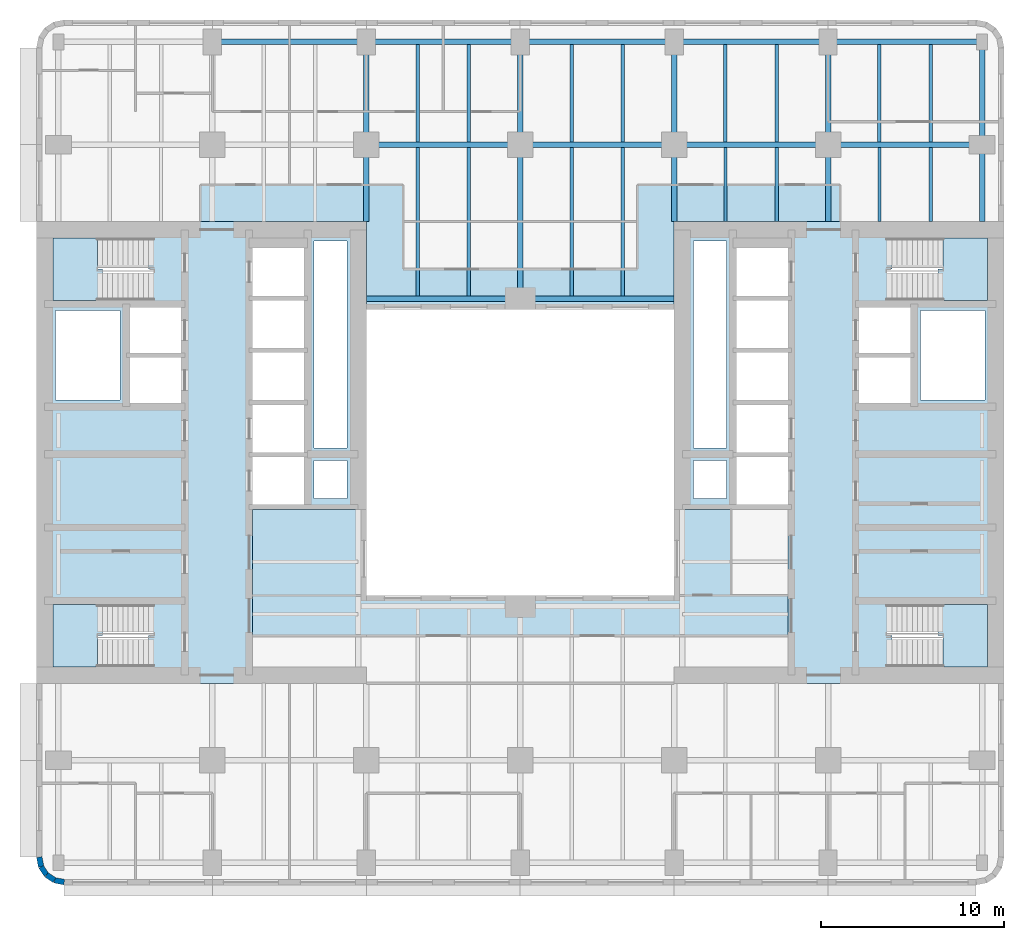
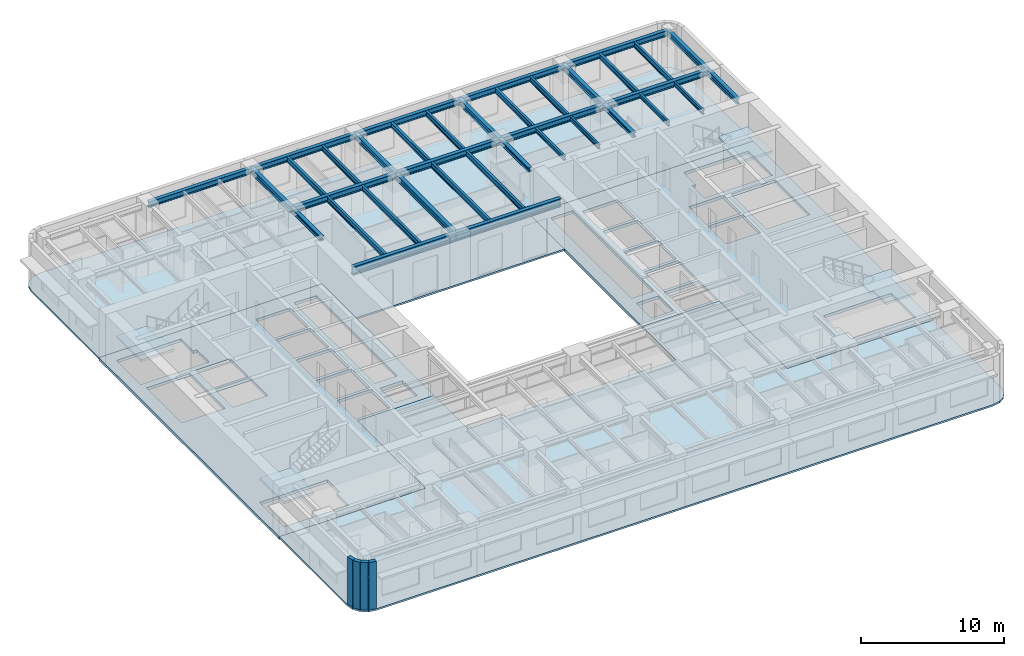
# One storey, part 2 of 11: 37 beams, 8 slabs, 4 walls, 4 elements without a shape of their own.
"""IFC4 building model written with IfcOpenShell, lengths in metres."""

from ifc_helpers import new_model, si_unit, direction, frame, frame_2d, origin, origin_2d, place, context, subcontext, project, spatial, polyline, rectangle, i_section, outline, extrude, material, layer, layer_set, material_profile, profile_set, type_object, element, aggregate, save


model = new_model("IFC4")

# Units and contexts
model_context = context("Model", 3, precision=1e-05, world=origin(), true_north=direction((0.0, 1.0)))
body_context = subcontext(model_context, "Body", "Model", "MODEL_VIEW")
ifc_project = project(units=[si_unit("LENGTHUNIT", "METRE"), si_unit("AREAUNIT", "SQUARE_METRE"), si_unit("VOLUMEUNIT", "CUBIC_METRE"), si_unit("PLANEANGLEUNIT", "RADIAN"), si_unit("MASSUNIT", "GRAM", prefix="KILO")], contexts=[model_context])

# Site, building, storey
site_placement = place(None, origin())
site = spatial("IfcSite", under=ifc_project, at=site_placement, CompositionType="ELEMENT")
building_placement = place(site_placement, origin())
building = spatial("IfcBuilding", under=site, at=building_placement, Name="Claustro Exchange Tower", CompositionType="ELEMENT")
storey_placement = place(building_placement, frame((0.0, 0.0, 126.0)))
storey = spatial("IfcBuildingStorey", under=building, at=storey_placement, Name="L28", CompositionType="ELEMENT", Elevation=126.0)

# Beams
ifc_material_1 = material(Name="Steel S355", Category="steel")
ifc_material_profile_1 = material_profile(ifc_material_1, i_section(OverallWidth=0.300048828125, OverallDepth=0.68994140625, WebThickness=0.014404296875, FlangeThickness=0.027099609375, FilletRadius=0.027099609375, at=origin_2d()), Name="HE 700 A")
ifc_profile_set_1 = profile_set([ifc_material_profile_1], Name="Steel S355")
beam_type_1 = type_object("IfcBeamType", Name="B13 HE 700 A light well edge girder", PredefinedType="BEAM", material=ifc_profile_set_1)
beam_1_placement = place(storey_placement, frame((16.800048828125, 33.60009765625, 3.705078125), z_axis=(1.0, 0.0, 0.0), x_axis=(0.0, 1.0, 0.0)))
element("IfcBeam", 1, at=beam_1_placement, inside=storey, type_object=beam_type_1, Name="Beam B13 L29", PredefinedType="BEAM", context=body_context, shape_type="SweptSolid", body=[
    extrude(i_section(OverallWidth=0.300048828125, OverallDepth=0.68994140625, WebThickness=0.014404296875, FlangeThickness=0.027099609375, FilletRadius=0.027099609375, at=origin_2d()), origin(), (0.0, 0.0, 1.0), 8.39990234375),
])
beam_2_placement = place(storey_placement, frame((25.199951171875, 33.60009765625, 3.705078125), z_axis=(1.0, 0.0, 0.0), x_axis=(0.0, 1.0, 0.0)))
element("IfcBeam", 2, at=beam_2_placement, inside=storey, type_object=beam_type_1, Name="Beam B13 L29", PredefinedType="BEAM", context=body_context, shape_type="SweptSolid", body=[
    extrude(i_section(OverallWidth=0.300048828125, OverallDepth=0.68994140625, WebThickness=0.014404296875, FlangeThickness=0.027099609375, FilletRadius=0.027099609375, at=origin_2d()), origin(), (0.0, 0.0, 1.0), 8.400146484375),
])
ifc_material_2 = material(Name="Steel S355", Category="steel")
ifc_material_profile_2 = material_profile(ifc_material_2, i_section(OverallWidth=0.169921875, OverallDepth=0.360107421875, WebThickness=0.008056640625, FlangeThickness=0.0126953125, FilletRadius=0.01806640625, at=origin_2d()), Name="IPE 360")
ifc_profile_set_2 = profile_set([ifc_material_profile_2], Name="Steel S355")
beam_type_2 = type_object("IfcBeamType", Name="B16 IPE 360 short-span beam", PredefinedType="BEAM", material=ifc_profile_set_2)
for number, where, z_axis, x_axis, name in (
    (3, (36.39990234375, 37.7900390625, 3.8701171875), (0.0, 1.0, 0.0), (-1.0, 0.0, 0.0), "Beam B16 L29"),
    (4, (39.199951171875, 37.7900390625, 3.8701171875), (0.0, 1.0, 0.0), (-1.0, 0.0, 0.0), "Beam B16 L29"),
    (5, (44.800048828125, 37.7900390625, 3.8701171875), (0.0, 1.0, 0.0), (-1.0, 0.0, 0.0), "Beam B16 L29"),
    (6, (47.60009765625, 37.7900390625, 3.8701171875), (0.0, 1.0, 0.0), (-1.0, 0.0, 0.0), "Beam B16 L29"),
):
    element("IfcBeam", number, at=place(storey_placement, frame(where, z_axis=z_axis, x_axis=x_axis)), inside=storey, type_object=beam_type_2, Name=name, PredefinedType="BEAM", context=body_context, shape_type="SweptSolid", body=[
        extrude(i_section(OverallWidth=0.169921875, OverallDepth=0.360107421875, WebThickness=0.008056640625, FlangeThickness=0.0126953125, FilletRadius=0.01806640625, at=origin_2d()), origin(), (0.0, 0.0, 1.0), 4.06005859375),
    ])
ifc_material_3 = material(Name="Steel S355", Category="steel")
ifc_material_profile_3 = material_profile(ifc_material_3, i_section(OverallWidth=0.300048828125, OverallDepth=0.360107421875, WebThickness=0.012451171875, FlangeThickness=0.0224609375, FilletRadius=0.027099609375, at=origin_2d()), Name="HE 360 B")
ifc_profile_set_3 = profile_set([ifc_material_profile_3], Name="Steel S355")
beam_type_3 = type_object("IfcBeamType", Name="B29 HE 360 B column to core link beam", PredefinedType="BEAM", material=ifc_profile_set_3)
for number, where, z_axis, x_axis, name in (
    (7, (16.800048828125, 37.800048828125, 3.8701171875), (0.0, 1.0, 0.0), (-1.0, 0.0, 0.0), "Beam B29 L29"),
    (8, (33.60009765625, 37.800048828125, 3.8701171875), (0.0, 1.0, 0.0), (-1.0, 0.0, 0.0), "Beam B29 L29"),
    (9, (42.0, 37.800048828125, 3.8701171875), (0.0, 1.0, 0.0), (-1.0, 0.0, 0.0), "Beam B29 L29"),
):
    element("IfcBeam", number, at=place(storey_placement, frame(where, z_axis=z_axis, x_axis=x_axis)), inside=storey, type_object=beam_type_3, Name=name, PredefinedType="BEAM", context=body_context, shape_type="SweptSolid", body=[
        extrude(i_section(OverallWidth=0.300048828125, OverallDepth=0.360107421875, WebThickness=0.012451171875, FlangeThickness=0.0224609375, FilletRadius=0.027099609375, at=origin_2d()), origin(), (0.0, 0.0, 1.0), 4.199951171875),
    ])
ifc_material_4 = material(Name="Steel S355", Category="steel")
ifc_material_profile_4 = material_profile(ifc_material_4, i_section(OverallWidth=0.300048828125, OverallDepth=0.5, WebThickness=0.014404296875, FlangeThickness=0.028076171875, FilletRadius=0.027099609375, at=origin_2d()), Name="HE 500 B")
ifc_profile_set_4 = profile_set([ifc_material_profile_4], Name="Steel S355")
beam_type_4 = type_object("IfcBeamType", Name="B7 HE 500 B floor girder", PredefinedType="BEAM", material=ifc_profile_set_4)
beam_3_placement = place(storey_placement, frame((16.800048828125, 42.0, 3.800048828125), z_axis=(0.0, 1.0, 0.0), x_axis=(-1.0, 0.0, 0.0)))
element("IfcBeam", 10, at=beam_3_placement, inside=storey, type_object=beam_type_4, Name="Beam B7 L29", PredefinedType="BEAM", context=body_context, shape_type="SweptSolid", body=[
    extrude(i_section(OverallWidth=0.300048828125, OverallDepth=0.5, WebThickness=0.014404296875, FlangeThickness=0.028076171875, FilletRadius=0.027099609375, at=origin_2d()), origin(), (0.0, 0.0, 1.0), 5.60009765625),
])
beam_4_placement = place(storey_placement, frame((25.199951171875, 33.60009765625, 3.800048828125), z_axis=(0.0, 1.0, 0.0), x_axis=(-1.0, 0.0, 0.0)))
element("IfcBeam", 11, at=beam_4_placement, inside=storey, type_object=beam_type_4, Name="Beam B7 L29", PredefinedType="BEAM", context=body_context, shape_type="SweptSolid", body=[
    extrude(i_section(OverallWidth=0.300048828125, OverallDepth=0.5, WebThickness=0.014404296875, FlangeThickness=0.028076171875, FilletRadius=0.027099609375, at=origin_2d()), origin(), (0.0, 0.0, 1.0), 8.39990234375),
])
for number, where, z_axis, x_axis, name in (
    (12, (25.199951171875, 42.0, 3.800048828125), (0.0, 1.0, 0.0), (-1.0, 0.0, 0.0), "Beam B7 L29"),
    (13, (33.60009765625, 42.0, 3.800048828125), (0.0, 1.0, 0.0), (-1.0, 0.0, 0.0), "Beam B7 L29"),
    (14, (42.0, 42.0, 3.800048828125), (0.0, 1.0, 0.0), (-1.0, 0.0, 0.0), "Beam B7 L29"),
):
    element("IfcBeam", number, at=place(storey_placement, frame(where, z_axis=z_axis, x_axis=x_axis)), inside=storey, type_object=beam_type_4, Name=name, PredefinedType="BEAM", context=body_context, shape_type="SweptSolid", body=[
        extrude(i_section(OverallWidth=0.300048828125, OverallDepth=0.5, WebThickness=0.014404296875, FlangeThickness=0.028076171875, FilletRadius=0.027099609375, at=origin_2d()), origin(), (0.0, 0.0, 1.0), 5.60009765625),
    ])
beam_5_placement = place(storey_placement, frame((16.800048828125, 42.0, 3.800048828125), z_axis=(1.0, 0.0, 0.0), x_axis=(0.0, 1.0, 0.0)))
element("IfcBeam", 15, at=beam_5_placement, inside=storey, type_object=beam_type_4, Name="Beam B7 L29", PredefinedType="BEAM", context=body_context, shape_type="SweptSolid", body=[
    extrude(i_section(OverallWidth=0.300048828125, OverallDepth=0.5, WebThickness=0.014404296875, FlangeThickness=0.028076171875, FilletRadius=0.027099609375, at=origin_2d()), origin(), (0.0, 0.0, 1.0), 8.39990234375),
])
beam_6_placement = place(storey_placement, frame((25.199951171875, 42.0, 3.800048828125), z_axis=(1.0, 0.0, 0.0), x_axis=(0.0, 1.0, 0.0)))
element("IfcBeam", 16, at=beam_6_placement, inside=storey, type_object=beam_type_4, Name="Beam B7 L29", PredefinedType="BEAM", context=body_context, shape_type="SweptSolid", body=[
    extrude(i_section(OverallWidth=0.300048828125, OverallDepth=0.5, WebThickness=0.014404296875, FlangeThickness=0.028076171875, FilletRadius=0.027099609375, at=origin_2d()), origin(), (0.0, 0.0, 1.0), 8.400146484375),
])
for number, where, z_axis, x_axis, name in (
    (17, (33.60009765625, 42.0, 3.800048828125), (1.0, 0.0, 0.0), (0.0, 1.0, 0.0), "Beam B7 L29"),
    (18, (42.0, 42.0, 3.800048828125), (1.0, 0.0, 0.0), (0.0, 1.0, 0.0), "Beam B7 L29"),
):
    element("IfcBeam", number, at=place(storey_placement, frame(where, z_axis=z_axis, x_axis=x_axis)), inside=storey, type_object=beam_type_4, Name=name, PredefinedType="BEAM", context=body_context, shape_type="SweptSolid", body=[
        extrude(i_section(OverallWidth=0.300048828125, OverallDepth=0.5, WebThickness=0.014404296875, FlangeThickness=0.028076171875, FilletRadius=0.027099609375, at=origin_2d()), origin(), (0.0, 0.0, 1.0), 8.39990234375),
    ])
ifc_material_5 = material(Name="Steel S355", Category="steel")
ifc_material_profile_5 = material_profile(ifc_material_5, i_section(OverallWidth=0.18994140625, OverallDepth=0.449951171875, WebThickness=0.009521484375, FlangeThickness=0.0146484375, FilletRadius=0.02099609375, at=origin_2d()), Name="IPE 450")
ifc_profile_set_5 = profile_set([ifc_material_profile_5], Name="Steel S355")
beam_type_5 = type_object("IfcBeamType", Name="B8 IPE 450 secondary beam", PredefinedType="BEAM", material=ifc_profile_set_5)
for number, where, z_axis, x_axis, name in (
    (19, (19.60009765625, 33.75, 3.824951171875), (0.0, 1.0, 0.0), (-1.0, 0.0, 0.0), "Beam B8 L29"),
    (20, (22.39990234375, 33.75, 3.824951171875), (0.0, 1.0, 0.0), (-1.0, 0.0, 0.0), "Beam B8 L29"),
):
    element("IfcBeam", number, at=place(storey_placement, frame(where, z_axis=z_axis, x_axis=x_axis)), inside=storey, type_object=beam_type_5, Name=name, PredefinedType="BEAM", context=body_context, shape_type="SweptSolid", body=[
        extrude(i_section(OverallWidth=0.18994140625, OverallDepth=0.449951171875, WebThickness=0.009521484375, FlangeThickness=0.0146484375, FilletRadius=0.02099609375, at=origin_2d()), origin(), (0.0, 0.0, 1.0), 8.10009765625),
    ])
for number, where, z_axis, x_axis, name in (
    (21, (19.60009765625, 42.14990234375, 3.824951171875), (0.0, 1.0, 0.0), (-1.0, 0.0, 0.0), "Beam B8 L29"),
    (22, (22.39990234375, 42.14990234375, 3.824951171875), (0.0, 1.0, 0.0), (-1.0, 0.0, 0.0), "Beam B8 L29"),
):
    element("IfcBeam", number, at=place(storey_placement, frame(where, z_axis=z_axis, x_axis=x_axis)), inside=storey, type_object=beam_type_5, Name=name, PredefinedType="BEAM", context=body_context, shape_type="SweptSolid", body=[
        extrude(i_section(OverallWidth=0.18994140625, OverallDepth=0.449951171875, WebThickness=0.009521484375, FlangeThickness=0.0146484375, FilletRadius=0.02099609375, at=origin_2d()), origin(), (0.0, 0.0, 1.0), 5.300048828125),
    ])
for number, where, z_axis, x_axis, name in (
    (23, (28.0, 33.75, 3.824951171875), (0.0, 1.0, 0.0), (-1.0, 0.0, 0.0), "Beam B8 L29"),
    (24, (30.800048828125, 33.75, 3.824951171875), (0.0, 1.0, 0.0), (-1.0, 0.0, 0.0), "Beam B8 L29"),
):
    element("IfcBeam", number, at=place(storey_placement, frame(where, z_axis=z_axis, x_axis=x_axis)), inside=storey, type_object=beam_type_5, Name=name, PredefinedType="BEAM", context=body_context, shape_type="SweptSolid", body=[
        extrude(i_section(OverallWidth=0.18994140625, OverallDepth=0.449951171875, WebThickness=0.009521484375, FlangeThickness=0.0146484375, FilletRadius=0.02099609375, at=origin_2d()), origin(), (0.0, 0.0, 1.0), 8.10009765625),
    ])
for number, where, z_axis, x_axis, name in (
    (25, (28.0, 42.14990234375, 3.824951171875), (0.0, 1.0, 0.0), (-1.0, 0.0, 0.0), "Beam B8 L29"),
    (26, (30.800048828125, 42.14990234375, 3.824951171875), (0.0, 1.0, 0.0), (-1.0, 0.0, 0.0), "Beam B8 L29"),
    (27, (36.39990234375, 42.14990234375, 3.824951171875), (0.0, 1.0, 0.0), (-1.0, 0.0, 0.0), "Beam B8 L29"),
    (28, (39.199951171875, 42.14990234375, 3.824951171875), (0.0, 1.0, 0.0), (-1.0, 0.0, 0.0), "Beam B8 L29"),
    (29, (44.800048828125, 42.14990234375, 3.824951171875), (0.0, 1.0, 0.0), (-1.0, 0.0, 0.0), "Beam B8 L29"),
    (30, (47.60009765625, 42.14990234375, 3.824951171875), (0.0, 1.0, 0.0), (-1.0, 0.0, 0.0), "Beam B8 L29"),
):
    element("IfcBeam", number, at=place(storey_placement, frame(where, z_axis=z_axis, x_axis=x_axis)), inside=storey, type_object=beam_type_5, Name=name, PredefinedType="BEAM", context=body_context, shape_type="SweptSolid", body=[
        extrude(i_section(OverallWidth=0.18994140625, OverallDepth=0.449951171875, WebThickness=0.009521484375, FlangeThickness=0.0146484375, FilletRadius=0.02099609375, at=origin_2d()), origin(), (0.0, 0.0, 1.0), 5.300048828125),
    ])
ifc_material_6 = material(Name="Steel S355", Category="steel")
ifc_material_profile_6 = material_profile(ifc_material_6, i_section(OverallWidth=0.300048828125, OverallDepth=0.489990234375, WebThickness=0.011962890625, FlangeThickness=0.02294921875, FilletRadius=0.027099609375, at=origin_2d()), Name="HE 500 A")
ifc_profile_set_6 = profile_set([ifc_material_profile_6], Name="Steel S355")
beam_type_6 = type_object("IfcBeamType", Name="B9 HE 500 A spandrel edge girder", PredefinedType="SPANDREL", material=ifc_profile_set_6)
beam_7_placement = place(storey_placement, frame((50.39990234375, 37.800048828125, 3.804931640625), z_axis=(0.0, 1.0, 0.0), x_axis=(-1.0, 0.0, 0.0)))
element("IfcBeam", 31, at=beam_7_placement, inside=storey, type_object=beam_type_6, Name="Beam B9 L29", PredefinedType="SPANDREL", context=body_context, shape_type="SweptSolid", body=[
    extrude(i_section(OverallWidth=0.300048828125, OverallDepth=0.489990234375, WebThickness=0.011962890625, FlangeThickness=0.02294921875, FilletRadius=0.027099609375, at=origin_2d()), origin(), (0.0, 0.0, 1.0), 4.199951171875),
])
beam_8_placement = place(storey_placement, frame((50.39990234375, 42.0, 3.804931640625), z_axis=(0.0, 1.0, 0.0), x_axis=(-1.0, 0.0, 0.0)))
element("IfcBeam", 32, at=beam_8_placement, inside=storey, type_object=beam_type_6, Name="Beam B9 L29", PredefinedType="SPANDREL", context=body_context, shape_type="SweptSolid", body=[
    extrude(i_section(OverallWidth=0.300048828125, OverallDepth=0.489990234375, WebThickness=0.011962890625, FlangeThickness=0.02294921875, FilletRadius=0.027099609375, at=origin_2d()), origin(), (0.0, 0.0, 1.0), 5.60009765625),
])
beam_9_placement = place(storey_placement, frame((8.39990234375, 47.60009765625, 3.804931640625), z_axis=(1.0, 0.0, 0.0), x_axis=(0.0, 1.0, 0.0)))
element("IfcBeam", 33, at=beam_9_placement, inside=storey, type_object=beam_type_6, Name="Beam B9 L29", PredefinedType="SPANDREL", context=body_context, shape_type="SweptSolid", body=[
    extrude(i_section(OverallWidth=0.300048828125, OverallDepth=0.489990234375, WebThickness=0.011962890625, FlangeThickness=0.02294921875, FilletRadius=0.027099609375, at=origin_2d()), origin(), (0.0, 0.0, 1.0), 8.400146484375),
])
beam_10_placement = place(storey_placement, frame((16.800048828125, 47.60009765625, 3.804931640625), z_axis=(1.0, 0.0, 0.0), x_axis=(0.0, 1.0, 0.0)))
element("IfcBeam", 34, at=beam_10_placement, inside=storey, type_object=beam_type_6, Name="Beam B9 L29", PredefinedType="SPANDREL", context=body_context, shape_type="SweptSolid", body=[
    extrude(i_section(OverallWidth=0.300048828125, OverallDepth=0.489990234375, WebThickness=0.011962890625, FlangeThickness=0.02294921875, FilletRadius=0.027099609375, at=origin_2d()), origin(), (0.0, 0.0, 1.0), 8.39990234375),
])
beam_11_placement = place(storey_placement, frame((25.199951171875, 47.60009765625, 3.804931640625), z_axis=(1.0, 0.0, 0.0), x_axis=(0.0, 1.0, 0.0)))
element("IfcBeam", 35, at=beam_11_placement, inside=storey, type_object=beam_type_6, Name="Beam B9 L29", PredefinedType="SPANDREL", context=body_context, shape_type="SweptSolid", body=[
    extrude(i_section(OverallWidth=0.300048828125, OverallDepth=0.489990234375, WebThickness=0.011962890625, FlangeThickness=0.02294921875, FilletRadius=0.027099609375, at=origin_2d()), origin(), (0.0, 0.0, 1.0), 8.400146484375),
])
for number, where, z_axis, x_axis, name in (
    (36, (33.60009765625, 47.60009765625, 3.804931640625), (1.0, 0.0, 0.0), (0.0, 1.0, 0.0), "Beam B9 L29"),
    (37, (42.0, 47.60009765625, 3.804931640625), (1.0, 0.0, 0.0), (0.0, 1.0, 0.0), "Beam B9 L29"),
):
    element("IfcBeam", number, at=place(storey_placement, frame(where, z_axis=z_axis, x_axis=x_axis)), inside=storey, type_object=beam_type_6, Name=name, PredefinedType="SPANDREL", context=body_context, shape_type="SweptSolid", body=[
        extrude(i_section(OverallWidth=0.300048828125, OverallDepth=0.489990234375, WebThickness=0.011962890625, FlangeThickness=0.02294921875, FilletRadius=0.027099609375, at=origin_2d()), origin(), (0.0, 0.0, 1.0), 8.39990234375),
    ])

# Slabs
ifc_material_7 = material(Name="Concrete HA-50 (C50/60)", Category="concrete")
ifc_layer_1 = layer(ifc_material_7, 0.14990234375)
ifc_layer_set_1 = layer_set([ifc_layer_1], Name="Concrete HA-50 (C50/60)")
slab_type_1 = type_object("IfcSlabType", Name="S2 150 composite floor slab", PredefinedType="FLOOR", material=ifc_layer_set_1)
slab_1_placement = place(storey_placement, frame((0.0, 0.0, -0.14990234375)))
element("IfcSlab", 38, at=slab_1_placement, inside=storey, type_object=slab_type_1, Name="Floor slab S2 S L28", PredefinedType="FLOOR", context=body_context, shape_type="SweptSolid", body=[
    extrude(outline(polyline([(-0.27392578125, 1.714111328125), (0.300048828125, 1.60009765625), (50.10009765625, 1.60009765625), (50.674072265625, 1.714111328125), (51.16064453125, 2.039306640625), (51.48583984375, 2.52587890625), (51.60009765625, 3.10009765625), (51.60009765625, 12.60009765625), (39.800048828125, 12.60009765625), (39.800048828125, 22.10009765625), (33.60009765625, 22.10009765625), (33.60009765625, 17.39990234375), (16.800048828125, 17.39990234375), (16.800048828125, 22.10009765625), (10.60009765625, 22.10009765625), (10.60009765625, 12.60009765625), (-1.199951171875, 12.60009765625), (-1.199951171875, 3.10009765625), (-1.085693359375, 2.52587890625), (-0.7607421875, 2.039306640625), (-0.27392578125, 1.714111328125)])), origin(), (0.0, 0.0, 1.0), 0.14990234375),
])
slab_2_placement = place(storey_placement, frame((0.0, 0.0, -0.14990234375)))
element("IfcSlab", 39, at=slab_2_placement, inside=storey, type_object=slab_type_1, Name="Floor slab S2 N L28", PredefinedType="FLOOR", context=body_context, shape_type="SweptSolid", body=[
    extrude(outline(polyline([(16.800048828125, 37.800048828125), (16.800048828125, 33.0), (33.60009765625, 33.0), (33.60009765625, 37.800048828125), (51.60009765625, 37.800048828125), (51.60009765625, 47.300048828125), (51.48583984375, 47.8740234375), (51.16064453125, 48.360595703125), (50.674072265625, 48.685791015625), (50.10009765625, 48.800048828125), (0.300048828125, 48.800048828125), (-0.27392578125, 48.685791015625), (-0.7607421875, 48.360595703125), (-1.085693359375, 47.8740234375), (-1.199951171875, 47.300048828125), (-1.199951171875, 37.800048828125), (16.800048828125, 37.800048828125)])), origin(), (0.0, 0.0, 1.0), 0.14990234375),
])
ifc_material_8 = material(Name="Concrete HA-50 (C50/60)", Category="concrete")
ifc_layer_2 = layer(ifc_material_8, 0.25)
ifc_layer_set_2 = layer_set([ifc_layer_2], Name="Concrete HA-50 (C50/60)")
slab_type_2 = type_object("IfcSlabType", Name="S7 250 core floor slab", PredefinedType="FLOOR", material=ifc_layer_set_2)
slab_3_placement = place(storey_placement, frame((0.0, 0.0, -0.25)))
element("IfcSlab", 40, at=slab_3_placement, inside=storey, type_object=slab_type_2, Name="Core floor slab S7 W core L28", PredefinedType="FLOOR", context=body_context, shape_type="SweptSolid", body=[
    extrude(outline(polyline([(-1.199951171875, 37.800048828125), (-1.199951171875, 12.60009765625), (10.60009765625, 12.60009765625), (10.60009765625, 22.10009765625), (16.800048828125, 22.10009765625), (16.800048828125, 37.800048828125), (-1.199951171875, 37.800048828125)]), holes=[polyline([(13.949951171875, 24.75), (15.75, 24.75), (15.75, 22.699951171875), (13.949951171875, 22.699951171875), (13.949951171875, 24.75)]), polyline([(13.949951171875, 36.75), (15.75, 36.75), (15.75, 25.449951171875), (13.949951171875, 25.449951171875), (13.949951171875, 36.75)]), polyline([(13.39990234375, 24.949951171875), (13.39990234375, 22.35009765625), (10.60009765625, 22.35009765625), (10.60009765625, 24.949951171875), (13.39990234375, 24.949951171875)]), polyline([(13.39990234375, 27.800048828125), (13.39990234375, 25.199951171875), (10.60009765625, 25.199951171875), (10.60009765625, 27.800048828125), (13.39990234375, 27.800048828125)]), polyline([(13.39990234375, 30.64990234375), (13.39990234375, 28.050048828125), (10.60009765625, 28.050048828125), (10.60009765625, 30.64990234375), (13.39990234375, 30.64990234375)]), polyline([(13.39990234375, 33.5), (13.39990234375, 30.89990234375), (10.60009765625, 30.89990234375), (10.60009765625, 33.5), (13.39990234375, 33.5)]), polyline([(13.39990234375, 36.35009765625), (13.39990234375, 33.75), (10.60009765625, 33.75), (10.60009765625, 36.35009765625), (13.39990234375, 36.35009765625)]), polyline([(6.699951171875, 30.375), (6.699951171875, 27.89990234375), (3.89990234375, 27.89990234375), (3.89990234375, 30.375), (6.699951171875, 30.375)]), polyline([(6.699951171875, 33.10009765625), (6.699951171875, 30.625), (3.89990234375, 30.625), (3.89990234375, 33.10009765625), (6.699951171875, 33.10009765625)]), polyline([(-0.300048828125, 15.199951171875), (-0.300048828125, 16.89990234375), (5.195068359375, 16.89990234375), (5.195068359375, 15.199951171875), (4.919921875, 15.199951171875), (4.919921875, 13.5), (-0.300048828125, 13.5), (-0.300048828125, 15.199951171875)]), polyline([(-0.300048828125, 35.199951171875), (-0.300048828125, 36.89990234375), (4.919921875, 36.89990234375), (4.919921875, 35.199951171875), (5.195068359375, 35.199951171875), (5.195068359375, 33.5), (-0.300048828125, 33.5), (-0.300048828125, 35.199951171875)]), polyline([(-0.14990234375, 32.949951171875), (3.35009765625, 32.949951171875), (3.35009765625, 28.050048828125), (-0.14990234375, 28.050048828125), (-0.14990234375, 32.949951171875)])]), origin(), (0.0, 0.0, 1.0), 0.25),
])
slab_4_placement = place(storey_placement, frame((0.0, 0.0, -0.25)))
element("IfcSlab", 41, at=slab_4_placement, inside=storey, type_object=slab_type_2, Name="Core floor slab S7 E core L28", PredefinedType="FLOOR", context=body_context, shape_type="SweptSolid", body=[
    extrude(outline(polyline([(51.60009765625, 37.800048828125), (33.60009765625, 37.800048828125), (33.60009765625, 22.10009765625), (39.800048828125, 22.10009765625), (39.800048828125, 12.60009765625), (51.60009765625, 12.60009765625), (51.60009765625, 37.800048828125)]), holes=[polyline([(45.47998046875, 15.199951171875), (45.205078125, 15.199951171875), (45.205078125, 16.89990234375), (50.699951171875, 16.89990234375), (50.699951171875, 15.199951171875), (50.699951171875, 13.5), (45.47998046875, 13.5), (45.47998046875, 15.199951171875)]), polyline([(45.47998046875, 35.199951171875), (45.47998046875, 36.89990234375), (50.699951171875, 36.89990234375), (50.699951171875, 35.199951171875), (50.699951171875, 33.5), (45.205078125, 33.5), (45.205078125, 35.199951171875), (45.47998046875, 35.199951171875)]), polyline([(50.550048828125, 32.949951171875), (50.550048828125, 28.050048828125), (47.050048828125, 28.050048828125), (47.050048828125, 32.949951171875), (50.550048828125, 32.949951171875)]), polyline([(43.699951171875, 33.10009765625), (46.5, 33.10009765625), (46.5, 30.625), (43.699951171875, 30.625), (43.699951171875, 33.10009765625)]), polyline([(46.5, 30.375), (46.5, 27.89990234375), (43.699951171875, 27.89990234375), (43.699951171875, 30.375), (46.5, 30.375)]), polyline([(37.0, 24.949951171875), (39.800048828125, 24.949951171875), (39.800048828125, 22.35009765625), (37.0, 22.35009765625), (37.0, 24.949951171875)]), polyline([(37.0, 30.64990234375), (39.800048828125, 30.64990234375), (39.800048828125, 28.050048828125), (37.0, 28.050048828125), (37.0, 30.64990234375)]), polyline([(39.800048828125, 27.800048828125), (39.800048828125, 25.199951171875), (37.0, 25.199951171875), (37.0, 27.800048828125), (39.800048828125, 27.800048828125)]), polyline([(39.800048828125, 33.5), (39.800048828125, 30.89990234375), (37.0, 30.89990234375), (37.0, 33.5), (39.800048828125, 33.5)]), polyline([(39.800048828125, 36.35009765625), (39.800048828125, 33.75), (37.0, 33.75), (37.0, 36.35009765625), (39.800048828125, 36.35009765625)]), polyline([(36.449951171875, 24.75), (36.449951171875, 22.699951171875), (34.64990234375, 22.699951171875), (34.64990234375, 24.75), (36.449951171875, 24.75)]), polyline([(36.449951171875, 36.75), (36.449951171875, 25.449951171875), (34.64990234375, 25.449951171875), (34.64990234375, 36.75), (36.449951171875, 36.75)])]), origin(), (0.0, 0.0, 1.0), 0.25),
])

# Stair, slab
ifc_material_9 = material(Name="Concrete HA-30 (C30/37), precast", Category="concrete")
stair_type = type_object("IfcStairType", Name="ST1 half-turn stair, 24 risers of 175", PredefinedType="HALF_TURN_STAIR", material=ifc_material_9)
stair_1_placement = place(storey_placement, origin())
stair_1 = element("IfcStair", 42, at=stair_1_placement, inside=storey, type_object=stair_type, Name="Stair STWA L28", PredefinedType="HALF_TURN_STAIR")
ifc_material_10 = material(Name="Concrete HA-30 (C30/37), precast", Category="concrete")
ifc_layer_3 = layer(ifc_material_10, 0.199951171875)
ifc_layer_set_3 = layer_set([ifc_layer_3], Name="Concrete HA-30 (C30/37), precast")
slab_type_3 = type_object("IfcSlabType", Name="S9 200 stair landing", PredefinedType="LANDING", material=ifc_layer_set_3)
slab_5_placement = place(storey_placement, frame((0.0, 0.0, 1.89990234375)))
slab_5 = element("IfcSlab", 43, at=slab_5_placement, type_object=slab_type_3, Name="STWA landing 1", PredefinedType="LANDING", context=body_context, shape_type="SweptSolid", body=[
    extrude(outline(polyline([(2.125, 13.5), (-0.300048828125, 13.5), (-0.300048828125, 16.89990234375), (2.1201171875, 16.89990234375), (2.125, 16.89990234375), (2.39990234375, 16.89990234375), (2.39990234375, 15.199951171875), (2.125, 15.199951171875), (2.125, 13.5)])), origin(), (0.0, 0.0, 1.0), 0.2001953125),
])
aggregate(stair_1, [slab_5])

stair_2_placement = place(storey_placement, origin())
stair_2 = element("IfcStair", 44, at=stair_2_placement, inside=storey, type_object=stair_type, Name="Stair STWB L28", PredefinedType="HALF_TURN_STAIR")
slab_6_placement = place(storey_placement, frame((0.0, 0.0, 1.89990234375)))
slab_6 = element("IfcSlab", 45, at=slab_6_placement, type_object=slab_type_3, Name="STWB landing 1", PredefinedType="LANDING", context=body_context, shape_type="SweptSolid", body=[
    extrude(outline(polyline([(2.39990234375, 35.199951171875), (2.39990234375, 33.5), (2.125, 33.5), (2.1201171875, 33.5), (-0.300048828125, 33.5), (-0.300048828125, 36.89990234375), (2.125, 36.89990234375), (2.125, 35.199951171875), (2.39990234375, 35.199951171875)])), origin(), (0.0, 0.0, 1.0), 0.2001953125),
])
aggregate(stair_2, [slab_6])

stair_3_placement = place(storey_placement, origin())
stair_3 = element("IfcStair", 46, at=stair_3_placement, inside=storey, type_object=stair_type, Name="Stair STEA L28", PredefinedType="HALF_TURN_STAIR")
slab_7_placement = place(storey_placement, frame((0.0, 0.0, 1.89990234375)))
slab_7 = element("IfcSlab", 47, at=slab_7_placement, type_object=slab_type_3, Name="STEA landing 1", PredefinedType="LANDING", context=body_context, shape_type="SweptSolid", body=[
    extrude(outline(polyline([(50.699951171875, 16.89990234375), (50.699951171875, 13.5), (48.27490234375, 13.5), (48.27490234375, 15.199951171875), (48.0, 15.199951171875), (48.0, 16.89990234375), (48.27490234375, 16.89990234375), (48.280029296875, 16.89990234375), (50.699951171875, 16.89990234375)])), origin(), (0.0, 0.0, 1.0), 0.2001953125),
])
aggregate(stair_3, [slab_7])

stair_4_placement = place(storey_placement, origin())
stair_4 = element("IfcStair", 48, at=stair_4_placement, inside=storey, type_object=stair_type, Name="Stair STEB L28", PredefinedType="HALF_TURN_STAIR")
slab_8_placement = place(storey_placement, frame((0.0, 0.0, 1.89990234375)))
slab_8 = element("IfcSlab", 49, at=slab_8_placement, type_object=slab_type_3, Name="STEB landing 1", PredefinedType="LANDING", context=body_context, shape_type="SweptSolid", body=[
    extrude(outline(polyline([(48.0, 33.5), (48.0, 35.199951171875), (48.27490234375, 35.199951171875), (48.27490234375, 36.89990234375), (50.699951171875, 36.89990234375), (50.699951171875, 33.5), (48.280029296875, 33.5), (48.27490234375, 33.5), (48.0, 33.5)])), origin(), (0.0, 0.0, 1.0), 0.2001953125),
])
aggregate(stair_4, [slab_8])

# Walls
ifc_material_11 = material(Name="Concrete HA-40 (C40/50), precast, white cement, acid-etched", Category="concrete")
ifc_layer_4 = layer(ifc_material_11, 0.300048828125)
ifc_layer_set_4 = layer_set([ifc_layer_4], Name="Concrete HA-40 (C40/50), precast, white cement, acid-etched")
wall_type = type_object("IfcWallType", Name="PC1 300 precast concrete pier panel", PredefinedType="SOLIDWALL", material=ifc_layer_set_4)
wall_1_placement = place(storey_placement, frame((0.314697265625, 1.75, 0.0), z_axis=(0.0, 0.0, 1.0), x_axis=(-0.980788534345, 0.195073962632, 0.0)))
element("IfcWall", 50, at=wall_1_placement, inside=storey, type_object=wall_type, Name="Precast pier panel PC1 L28", PredefinedType="SOLIDWALL", context=body_context, shape_type="SweptSolid", body=[
    extrude(rectangle(XDim=0.540771484375, YDim=0.300048828125, at=frame_2d((0.2705078125, 0.0))), origin(), (0.0, 0.0, 1.0), 4.050048828125),
])
for number, where, z_axis, x_axis, name in (
    (51, (-0.215576171875, 1.85546875, 0.0), (0.0, 0.0, 1.0), (-0.831478144188, 0.555557463938, 0.0), "Precast pier panel PC1 L28"),
    (52, (-0.652587890625, 2.1474609375, 0.0), (0.0, 0.0, 1.0), (-0.555557463938, 0.831478144188, 0.0), "Precast pier panel PC1 L28"),
):
    element("IfcWall", number, at=place(storey_placement, frame(where, z_axis=z_axis, x_axis=x_axis)), inside=storey, type_object=wall_type, Name=name, PredefinedType="SOLIDWALL", context=body_context, shape_type="SweptSolid", body=[
        extrude(rectangle(XDim=0.525634765625, YDim=0.300048828125, at=frame_2d((0.2626953125, 0.0))), origin(), (0.0, 0.0, 1.0), 4.050048828125),
    ])
wall_2_placement = place(storey_placement, frame((-0.944580078125, 2.58447265625, 0.0), z_axis=(0.0, 0.0, 1.0), x_axis=(-0.195073962632, 0.980788534345, 0.0)))
element("IfcWall", 53, at=wall_2_placement, inside=storey, type_object=wall_type, Name="Precast pier panel PC1 L28", PredefinedType="SOLIDWALL", context=body_context, shape_type="SweptSolid", body=[
    extrude(rectangle(XDim=0.540771484375, YDim=0.300048828125, at=frame_2d((0.2705078125, 0.0))), origin(), (0.0, 0.0, 1.0), 4.050048828125),
])

save(model, "model.ifc")
